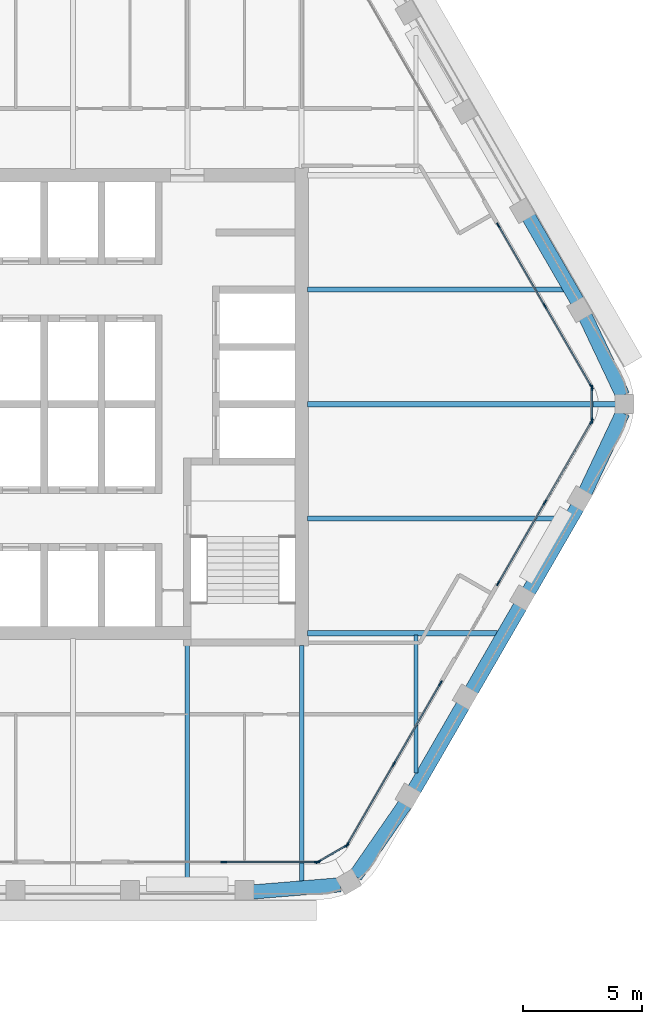
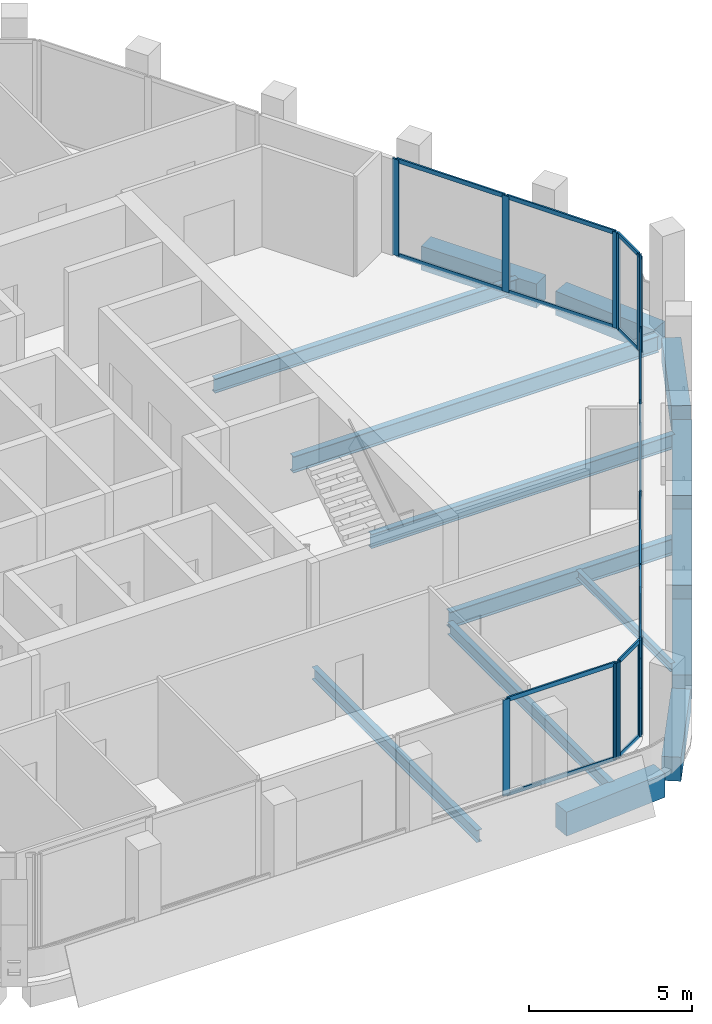
# One storey, part 4 of 14: 33 members, 15 beams, 6 elements without a shape of their own.
"""IFC4 building model written with IfcOpenShell, lengths in metres."""

from ifc_helpers import new_model, si_unit, direction, frame, origin, origin_2d, place, context, subcontext, project, spatial, rectangle, i_section, extrude, material, material_profile, profile_set, type_object, element, aggregate, save


model = new_model("IFC4")

# Units and contexts
model_context = context("Model", 3, precision=1e-05, world=origin(), true_north=direction((0.0, 1.0)))
body_context = subcontext(model_context, "Body", "Model", "MODEL_VIEW")
ifc_project = project(units=[si_unit("LENGTHUNIT", "METRE"), si_unit("AREAUNIT", "SQUARE_METRE"), si_unit("VOLUMEUNIT", "CUBIC_METRE"), si_unit("PLANEANGLEUNIT", "RADIAN"), si_unit("MASSUNIT", "GRAM", prefix="KILO")], contexts=[model_context])

# Site, building, storey
site_placement = place(None, origin())
site = spatial("IfcSite", under=ifc_project, at=site_placement, CompositionType="ELEMENT")
building_placement = place(site_placement, origin())
building = spatial("IfcBuilding", under=site, at=building_placement, Name="Kolab Exchange Tower", CompositionType="ELEMENT")
storey_placement = place(building_placement, frame((0.0, 0.0, 234.5)))
storey = spatial("IfcBuildingStorey", under=building, at=storey_placement, Name="L51", CompositionType="ELEMENT", Elevation=234.5)

# Beams
ifc_material_1 = material(Name="Steel S355", Category="steel")
ifc_material_profile_1 = material_profile(ifc_material_1, i_section(OverallWidth=0.1650390625, OverallDepth=0.31005859375, WebThickness=0.005859375, FlangeThickness=0.009765625, at=origin_2d()), Name="W310X39")
ifc_profile_set_1 = profile_set([ifc_material_profile_1], Name="Steel S355")
beam_type_1 = type_object("IfcBeamType", Name="FLOOR BEAM W310X39", PredefinedType="BEAM", material=ifc_profile_set_1)
beam_1_placement = place(storey_placement, frame((14.39990234375, -15.4677734375, -0.304931640625), z_axis=(0.0, 1.0, 0.0), x_axis=(-1.0, 0.0, 0.0)))
element("IfcBeam", 1, at=beam_1_placement, inside=storey, type_object=beam_type_1, Name="beam/L51/fr/018", PredefinedType="BEAM", context=body_context, shape_type="SweptSolid", body=[
    extrude(i_section(OverallWidth=0.1650390625, OverallDepth=0.31005859375, WebThickness=0.005859375, FlangeThickness=0.009765625, at=origin_2d()), origin(), (0.0, 0.0, 1.0), 5.793701171875),
])
ifc_material_profile_2 = material_profile(ifc_material_1, i_section(OverallWidth=0.18994140625, OverallDepth=0.45703125, WebThickness=0.009033203125, FlangeThickness=0.014404296875, at=origin_2d()), Name="W460X74")
ifc_profile_set_2 = profile_set([ifc_material_profile_2], Name="Steel S355")
beam_type_2 = type_object("IfcBeamType", Name="FLOOR BEAM W460X74", PredefinedType="BEAM", material=ifc_profile_set_2)
beam_2_placement = place(storey_placement, frame((4.800048828125, -20.224609375, -0.37841796875), z_axis=(0.0, 1.0, 0.0), x_axis=(-1.0, 0.0, 0.0)))
element("IfcBeam", 2, at=beam_2_placement, inside=storey, type_object=beam_type_2, Name="beam/L51/fr/011", PredefinedType="BEAM", context=body_context, shape_type="SweptSolid", body=[
    extrude(i_section(OverallWidth=0.18994140625, OverallDepth=0.45703125, WebThickness=0.009033203125, FlangeThickness=0.014404296875, at=origin_2d()), origin(), (0.0, 0.0, 1.0), 10.114501953125),
])
beam_3_placement = place(storey_placement, frame((9.60009765625, -20.027099609375, -0.37841796875), z_axis=(0.0, 1.0, 0.0), x_axis=(-1.0, 0.0, 0.0)))
element("IfcBeam", 3, at=beam_3_placement, inside=storey, type_object=beam_type_2, Name="beam/L51/fr/013", PredefinedType="BEAM", context=body_context, shape_type="SweptSolid", body=[
    extrude(i_section(OverallWidth=0.18994140625, OverallDepth=0.45703125, WebThickness=0.009033203125, FlangeThickness=0.014404296875, at=origin_2d()), origin(), (0.0, 0.0, 1.0), 9.9169921875),
])
ifc_material_profile_3 = material_profile(ifc_material_1, i_section(OverallWidth=0.208984375, OverallDepth=0.532958984375, WebThickness=0.01025390625, FlangeThickness=0.015625, at=origin_2d()), Name="W530X92")
ifc_profile_set_3 = profile_set([ifc_material_profile_3], Name="Steel S355")
beam_type_3 = type_object("IfcBeamType", Name="FLOOR BEAM W530X92", PredefinedType="BEAM", material=ifc_profile_set_3)
for number, where, z_axis, x_axis, name in (
    (4, (9.8349609375, -4.800048828125, -0.41650390625), (1.0, 0.0, 0.0), (0.0, 1.0, 0.0), "beam/L51/fr/015"),
    (5, (9.8349609375, 4.800048828125, -0.41650390625), (1.0, 0.0, 0.0), (0.0, 1.0, 0.0), "beam/L51/fr/017"),
):
    element("IfcBeam", number, at=place(storey_placement, frame(where, z_axis=z_axis, x_axis=x_axis)), inside=storey, type_object=beam_type_3, Name=name, PredefinedType="BEAM", context=body_context, shape_type="SweptSolid", body=[
        extrude(i_section(OverallWidth=0.208984375, OverallDepth=0.532958984375, WebThickness=0.01025390625, FlangeThickness=0.015625, at=origin_2d()), origin(), (0.0, 0.0, 1.0), 10.740966796875),
    ])
ifc_material_profile_4 = material_profile(ifc_material_1, i_section(OverallWidth=0.22802734375, OverallDepth=0.60791015625, WebThickness=0.01123046875, FlangeThickness=0.017333984375, at=origin_2d()), Name="W610X113")
ifc_profile_set_4 = profile_set([ifc_material_profile_4], Name="Steel S355")
beam_type_4 = type_object("IfcBeamType", Name="FLOOR BEAM W610X113", PredefinedType="BEAM", material=ifc_profile_set_4)
beam_4_placement = place(storey_placement, frame((9.8349609375, 0.0, -0.4541015625), z_axis=(1.0, 0.0, 0.0), x_axis=(0.0, 1.0, 0.0)))
element("IfcBeam", 6, at=beam_4_placement, inside=storey, type_object=beam_type_4, Name="beam/L51/fr/016", PredefinedType="BEAM", context=body_context, shape_type="SweptSolid", body=[
    extrude(i_section(OverallWidth=0.22802734375, OverallDepth=0.60791015625, WebThickness=0.01123046875, FlangeThickness=0.017333984375, at=origin_2d()), origin(), (0.0, 0.0, 1.0), 12.94091796875),
])
ifc_material_profile_5 = material_profile(ifc_material_1, i_section(OverallWidth=0.22802734375, OverallDepth=0.60791015625, WebThickness=0.01123046875, FlangeThickness=0.017333984375, at=origin_2d()), Name="W610X113")
ifc_profile_set_5 = profile_set([ifc_material_profile_5], Name="Steel S355")
beam_type_5 = type_object("IfcBeamType", Name="FLOOR GIRDER W610X113", PredefinedType="BEAM", material=ifc_profile_set_5)
beam_5_placement = place(storey_placement, frame((9.8349609375, -9.60009765625, -0.4541015625), z_axis=(1.0, 0.0, 0.0), x_axis=(0.0, 1.0, 0.0)))
element("IfcBeam", 7, at=beam_5_placement, inside=storey, type_object=beam_type_5, Name="beam/L51/gd/002", PredefinedType="BEAM", context=body_context, shape_type="SweptSolid", body=[
    extrude(i_section(OverallWidth=0.22802734375, OverallDepth=0.60791015625, WebThickness=0.01123046875, FlangeThickness=0.017333984375, at=origin_2d()), origin(), (0.0, 0.0, 1.0), 7.9697265625),
])
ifc_material_2 = material(Name="Concrete C50/60", Category="concrete")
ifc_material_profile_6 = material_profile(ifc_material_2, rectangle(XDim=0.60009765625, YDim=0.89990234375, at=origin_2d()), Name="RC600X900")
ifc_profile_set_6 = profile_set([ifc_material_profile_6], Name="Concrete C50/60")
beam_type_6 = type_object("IfcBeamType", Name="SPANDREL BEAM 600X900 C50/60", PredefinedType="BEAM", material=ifc_profile_set_6)
beam_6_placement = place(storey_placement, frame((19.1201171875, 7.85205078125, -0.60009765625), z_axis=(0.500000428765, -0.866025156237, 0.0), x_axis=(0.866025156237, 0.500000428765, 0.0)))
element("IfcBeam", 8, at=beam_6_placement, inside=storey, type_object=beam_type_6, Name="beam/L51/sp/F2-04", PredefinedType="BEAM", context=body_context, shape_type="SweptSolid", body=[
    extrude(rectangle(XDim=0.60009765625, YDim=0.89990234375, at=origin_2d()), origin(), (0.0, 0.0, 1.0), 4.080078125),
])
for number, where, z_axis, x_axis, name in (
    (9, (21.49462890625, 3.68017578125, -0.60009765625), (0.427677251998, -0.903931506323, 0.0), (0.903931506323, 0.427677251998, 0.0), "beam/L51/sp/F2-05"),
    (10, (23.063720703125, -0.36376953125, -0.60009765625), (-0.427677251998, -0.903931506323, 0.0), (0.903931506323, -0.427677251998, 0.0), "beam/L51/sp/F3-01"),
):
    element("IfcBeam", number, at=place(storey_placement, frame(where, z_axis=z_axis, x_axis=x_axis)), inside=storey, type_object=beam_type_6, Name=name, PredefinedType="BEAM", context=body_context, shape_type="SweptSolid", body=[
        extrude(rectangle(XDim=0.60009765625, YDim=0.89990234375, at=origin_2d()), origin(), (0.0, 0.0, 1.0), 3.6689453125),
    ])
for number, where, z_axis, x_axis, name in (
    (11, (21.16015625, -4.318603515625, -0.60009765625), (-0.500000428765, -0.866025156237, 0.0), (0.866025156237, -0.500000428765, 0.0), "beam/L51/sp/F3-02"),
    (12, (18.76025390625, -8.4755859375, -0.60009765625), (-0.500000428765, -0.866025156237, 0.0), (0.866025156237, -0.500000428765, 0.0), "beam/L51/sp/F3-03"),
):
    element("IfcBeam", number, at=place(storey_placement, frame(where, z_axis=z_axis, x_axis=x_axis)), inside=storey, type_object=beam_type_6, Name=name, PredefinedType="BEAM", context=body_context, shape_type="SweptSolid", body=[
        extrude(rectangle(XDim=0.60009765625, YDim=0.89990234375, at=origin_2d()), origin(), (0.0, 0.0, 1.0), 4.080078125),
    ])
beam_7_placement = place(storey_placement, frame((16.360107421875, -12.632568359375, -0.60009765625), z_axis=(-0.499955548806, -0.866051066172, 0.0), x_axis=(0.866051066172, -0.499955548806, 0.0)))
element("IfcBeam", 13, at=beam_7_placement, inside=storey, type_object=beam_type_6, Name="beam/L51/sp/F3-04", PredefinedType="BEAM", context=body_context, shape_type="SweptSolid", body=[
    extrude(rectangle(XDim=0.60009765625, YDim=0.89990234375, at=origin_2d()), origin(), (0.0, 0.0, 1.0), 4.079833984375),
])
for number, where, z_axis, x_axis, name in (
    (14, (13.9345703125, -16.77490234375, -0.60009765625), (-0.569005808573, -0.822333502789, 0.0), (0.822333502789, -0.569005808573, 0.0), "beam/L51/sp/F3-05"),
    (15, (11.216796875, -20.15576171875, -0.60009765625), (-0.996666751878, -0.081580547323, 0.0), (0.081580547323, -0.996666751878, 0.0), "beam/L51/sp/F4-01"),
):
    element("IfcBeam", number, at=place(storey_placement, frame(where, z_axis=z_axis, x_axis=x_axis)), inside=storey, type_object=beam_type_6, Name=name, PredefinedType="BEAM", context=body_context, shape_type="SweptSolid", body=[
        extrude(rectangle(XDim=0.60009765625, YDim=0.89990234375, at=origin_2d()), origin(), (0.0, 0.0, 1.0), 3.6689453125),
    ])

# Curtain wall, members
ifc_material_3 = material(Name="Aluminium EN AW-6063 T6", Category="aluminium")
curtain_wall_type = type_object("IfcCurtainWallType", Name="UNITISED HIGH ZONE CURTAIN WALL", PredefinedType="NOTDEFINED", material=ifc_material_3)
curtain_wall_1_placement = place(storey_placement, origin())
curtain_wall_1 = element("IfcCurtainWall", 16, at=curtain_wall_1_placement, inside=storey, type_object=curtain_wall_type, Name="cw/L51/F2-2", PredefinedType="NOTDEFINED")
ifc_material_profile_7 = material_profile(ifc_material_3, rectangle(XDim=0.06005859375, YDim=0.239990234375, at=origin_2d()), Name="RECT 60X240")
ifc_profile_set_7 = profile_set([ifc_material_profile_7], Name="Aluminium EN AW-6063 T6")
member_type_1 = type_object("IfcMemberType", Name="UNITISED HIGH ZONE MULLION 60 X 240", PredefinedType="MULLION", material=ifc_profile_set_7)
member_1_placement = place(storey_placement, frame((17.8466796875, 7.497802734375, 0.0), z_axis=(0.0, 0.0, 1.0), x_axis=(0.866025440524, 0.499999936366, 0.0)))
member_1 = element("IfcMember", 17, at=member_1_placement, type_object=member_type_1, Name="CW4 mullion 1", PredefinedType="MULLION", context=body_context, shape_type="SweptSolid", body=[
    extrude(rectangle(XDim=0.06005859375, YDim=0.239990234375, at=origin_2d()), origin(), (0.0, 0.0, 1.0), 3.60009765625),
])
member_2_placement = place(storey_placement, frame((19.798583984375, 4.116943359375, 0.0), z_axis=(0.0, 0.0, 1.0), x_axis=(0.866025440524, 0.499999936366, 0.0)))
member_2 = element("IfcMember", 18, at=member_2_placement, type_object=member_type_1, Name="CW4 mullion 2", PredefinedType="MULLION", context=body_context, shape_type="SweptSolid", body=[
    extrude(rectangle(XDim=0.06005859375, YDim=0.239990234375, at=origin_2d()), origin(), (0.0, 0.0, 1.0), 3.60009765625),
])
member_3_placement = place(storey_placement, frame((21.750732421875, 0.736083984375, 0.0), z_axis=(0.0, 0.0, 1.0), x_axis=(0.866025440524, 0.499999936366, 0.0)))
member_3 = element("IfcMember", 19, at=member_3_placement, type_object=member_type_1, Name="CW4 mullion 3", PredefinedType="MULLION", context=body_context, shape_type="SweptSolid", body=[
    extrude(rectangle(XDim=0.06005859375, YDim=0.239990234375, at=origin_2d()), origin(), (0.0, 0.0, 1.0), 3.60009765625),
])

curtain_wall_2_placement = place(storey_placement, origin())
curtain_wall_2 = element("IfcCurtainWall", 20, at=curtain_wall_2_placement, inside=storey, type_object=curtain_wall_type, Name="cw/L51/F3-1", PredefinedType="NOTDEFINED")
member_4_placement = place(storey_placement, frame((21.750732421875, -0.736083984375, 0.0), z_axis=(0.0, 0.0, 1.0), x_axis=(0.866025440524, -0.499999936366, 0.0)))
member_4 = element("IfcMember", 21, at=member_4_placement, type_object=member_type_1, Name="CW4 mullion 1", PredefinedType="MULLION", context=body_context, shape_type="SweptSolid", body=[
    extrude(rectangle(XDim=0.06005859375, YDim=0.239990234375, at=origin_2d()), origin(), (0.0, 0.0, 1.0), 3.60009765625),
])
member_5_placement = place(storey_placement, frame((19.798583984375, -4.116943359375, 0.0), z_axis=(0.0, 0.0, 1.0), x_axis=(0.866025440524, -0.499999936366, 0.0)))
member_5 = element("IfcMember", 22, at=member_5_placement, type_object=member_type_1, Name="CW4 mullion 2", PredefinedType="MULLION", context=body_context, shape_type="SweptSolid", body=[
    extrude(rectangle(XDim=0.06005859375, YDim=0.239990234375, at=origin_2d()), origin(), (0.0, 0.0, 1.0), 3.60009765625),
])
member_6_placement = place(storey_placement, frame((17.8466796875, -7.497802734375, 0.0), z_axis=(0.0, 0.0, 1.0), x_axis=(0.866025440524, -0.499999936366, 0.0)))
member_6 = element("IfcMember", 23, at=member_6_placement, type_object=member_type_1, Name="CW4 mullion 3", PredefinedType="MULLION", context=body_context, shape_type="SweptSolid", body=[
    extrude(rectangle(XDim=0.06005859375, YDim=0.239990234375, at=origin_2d()), origin(), (0.0, 0.0, 1.0), 3.60009765625),
])

curtain_wall_3_placement = place(storey_placement, origin())
curtain_wall_3 = element("IfcCurtainWall", 24, at=curtain_wall_3_placement, inside=storey, type_object=curtain_wall_type, Name="cw/L51/F3-2", PredefinedType="NOTDEFINED")
member_7_placement = place(storey_placement, frame((15.416748046875, -11.706787109375, 0.0), z_axis=(0.0, 0.0, 1.0), x_axis=(0.866025385493, -0.500000031681, 0.0)))
member_7 = element("IfcMember", 25, at=member_7_placement, type_object=member_type_1, Name="CW4 mullion 1", PredefinedType="MULLION", context=body_context, shape_type="SweptSolid", body=[
    extrude(rectangle(XDim=0.06005859375, YDim=0.239990234375, at=origin_2d()), origin(), (0.0, 0.0, 1.0), 3.60009765625),
])
member_8_placement = place(storey_placement, frame((13.464599609375, -15.087646484375, 0.0), z_axis=(0.0, 0.0, 1.0), x_axis=(0.866025385493, -0.500000031681, 0.0)))
member_8 = element("IfcMember", 26, at=member_8_placement, type_object=member_type_1, Name="CW4 mullion 2", PredefinedType="MULLION", context=body_context, shape_type="SweptSolid", body=[
    extrude(rectangle(XDim=0.06005859375, YDim=0.239990234375, at=origin_2d()), origin(), (0.0, 0.0, 1.0), 3.60009765625),
])
member_9_placement = place(storey_placement, frame((11.5126953125, -18.46875, 0.0), z_axis=(0.0, 0.0, 1.0), x_axis=(0.866025385493, -0.500000031681, 0.0)))
member_9 = element("IfcMember", 27, at=member_9_placement, type_object=member_type_1, Name="CW4 mullion 3", PredefinedType="MULLION", context=body_context, shape_type="SweptSolid", body=[
    extrude(rectangle(XDim=0.06005859375, YDim=0.239990234375, at=origin_2d()), origin(), (0.0, 0.0, 1.0), 3.60009765625),
])

curtain_wall_4_placement = place(storey_placement, origin())
curtain_wall_4 = element("IfcCurtainWall", 28, at=curtain_wall_4_placement, inside=storey, type_object=curtain_wall_type, Name="cw/L51/F4-1", PredefinedType="NOTDEFINED")
member_10_placement = place(storey_placement, frame((10.238037109375, -19.20458984375, 0.0), z_axis=(0.0, 0.0, 1.0), x_axis=(0.0, -1.0, 0.0)))
member_10 = element("IfcMember", 29, at=member_10_placement, type_object=member_type_1, Name="CW4 mullion 1", PredefinedType="MULLION", context=body_context, shape_type="SweptSolid", body=[
    extrude(rectangle(XDim=0.06005859375, YDim=0.239990234375, at=origin_2d()), origin(), (0.0, 0.0, 1.0), 3.60009765625),
])
member_11_placement = place(storey_placement, frame((6.333984375, -19.20458984375, 0.0), z_axis=(0.0, 0.0, 1.0), x_axis=(0.0, -1.0, 0.0)))
member_11 = element("IfcMember", 30, at=member_11_placement, type_object=member_type_1, Name="CW4 mullion 2", PredefinedType="MULLION", context=body_context, shape_type="SweptSolid", body=[
    extrude(rectangle(XDim=0.06005859375, YDim=0.239990234375, at=origin_2d()), origin(), (0.0, 0.0, 1.0), 3.60009765625),
])

curtain_wall_5_placement = place(storey_placement, origin())
curtain_wall_5 = element("IfcCurtainWall", 31, at=curtain_wall_5_placement, inside=storey, type_object=curtain_wall_type, Name="cw/L51/F2F3-corner", PredefinedType="NOTDEFINED")
member_12_placement = place(storey_placement, frame((21.765625, 0.679931640625, 0.0), z_axis=(0.0, 0.0, 1.0), x_axis=(1.0, 0.0, 0.0)))
member_12 = element("IfcMember", 32, at=member_12_placement, type_object=member_type_1, Name="CW4 mullion 1", PredefinedType="MULLION", context=body_context, shape_type="SweptSolid", body=[
    extrude(rectangle(XDim=0.06005859375, YDim=0.239990234375, at=origin_2d()), origin(), (0.0, 0.0, 1.0), 3.60009765625),
])
member_13_placement = place(storey_placement, frame((21.765625, -0.679931640625, 0.0), z_axis=(0.0, 0.0, 1.0), x_axis=(1.0, 0.0, 0.0)))
member_13 = element("IfcMember", 33, at=member_13_placement, type_object=member_type_1, Name="CW4 mullion 2", PredefinedType="MULLION", context=body_context, shape_type="SweptSolid", body=[
    extrude(rectangle(XDim=0.06005859375, YDim=0.239990234375, at=origin_2d()), origin(), (0.0, 0.0, 1.0), 3.60009765625),
])

curtain_wall_6_placement = place(storey_placement, origin())
curtain_wall_6 = element("IfcCurtainWall", 34, at=curtain_wall_6_placement, inside=storey, type_object=curtain_wall_type, Name="cw/L51/F3F4-corner", PredefinedType="NOTDEFINED")
member_14_placement = place(storey_placement, frame((11.4716796875, -18.509521484375, 0.0), z_axis=(0.0, 0.0, 1.0), x_axis=(0.50000002237, -0.866025390869, 0.0)))
member_14 = element("IfcMember", 35, at=member_14_placement, type_object=member_type_1, Name="CW4 mullion 1", PredefinedType="MULLION", context=body_context, shape_type="SweptSolid", body=[
    extrude(rectangle(XDim=0.06005859375, YDim=0.239990234375, at=origin_2d()), origin(), (0.0, 0.0, 1.0), 3.60009765625),
])
member_15_placement = place(storey_placement, frame((10.2939453125, -19.189697265625, 0.0), z_axis=(0.0, 0.0, 1.0), x_axis=(0.50000002237, -0.866025390869, 0.0)))
member_15 = element("IfcMember", 36, at=member_15_placement, type_object=member_type_1, Name="CW4 mullion 2", PredefinedType="MULLION", context=body_context, shape_type="SweptSolid", body=[
    extrude(rectangle(XDim=0.06005859375, YDim=0.239990234375, at=origin_2d()), origin(), (0.0, 0.0, 1.0), 3.60009765625),
])

# Member
ifc_material_profile_8 = material_profile(ifc_material_3, rectangle(XDim=0.06005859375, YDim=0.159912109375, at=origin_2d()), Name="RECT 60X160")
ifc_profile_set_8 = profile_set([ifc_material_profile_8], Name="Aluminium EN AW-6063 T6")
member_type_2 = type_object("IfcMemberType", Name="UNITISED HIGH ZONE TRANSOM 60 X 160", PredefinedType="USERDEFINED", material=ifc_profile_set_8)
member_16_placement = place(storey_placement, frame((17.861572265625, 7.471923828125, 0.030029296875), z_axis=(0.500011990396, -0.866018481016, 0.0), x_axis=(0.866018481016, 0.500011990396, 0.0)))
member_16 = element("IfcMember", 37, at=member_16_placement, type_object=member_type_2, Name="CW4 transom 1.1", ObjectType="TRANSOM", PredefinedType="USERDEFINED", context=body_context, shape_type="SweptSolid", body=[
    extrude(rectangle(XDim=0.06005859375, YDim=0.159912109375, at=origin_2d()), origin(), (0.0, 0.0, 1.0), 3.84423828125),
])

member_17_placement = place(storey_placement, frame((17.861572265625, 7.471923828125, 3.570068359375), z_axis=(0.500011990396, -0.866018481016, 0.0), x_axis=(0.866018481016, 0.500011990396, 0.0)))
member_17 = element("IfcMember", 38, at=member_17_placement, type_object=member_type_2, Name="CW4 transom 1.2", ObjectType="TRANSOM", PredefinedType="USERDEFINED", context=body_context, shape_type="SweptSolid", body=[
    extrude(rectangle(XDim=0.06005859375, YDim=0.159912109375, at=origin_2d()), origin(), (0.0, 0.0, 1.0), 3.84423828125),
])

member_18_placement = place(storey_placement, frame((19.813720703125, 4.0908203125, 0.030029296875), z_axis=(0.499991857942, -0.866030104553, 0.0), x_axis=(0.866030104553, 0.499991857942, 0.0)))
member_18 = element("IfcMember", 39, at=member_18_placement, type_object=member_type_2, Name="CW4 transom 2.1", ObjectType="TRANSOM", PredefinedType="USERDEFINED", context=body_context, shape_type="SweptSolid", body=[
    extrude(rectangle(XDim=0.06005859375, YDim=0.159912109375, at=origin_2d()), origin(), (0.0, 0.0, 1.0), 3.84375),
])

member_19_placement = place(storey_placement, frame((19.813720703125, 4.0908203125, 3.570068359375), z_axis=(0.499991857942, -0.866030104553, 0.0), x_axis=(0.866030104553, 0.499991857942, 0.0)))
member_19 = element("IfcMember", 40, at=member_19_placement, type_object=member_type_2, Name="CW4 transom 2.2", ObjectType="TRANSOM", PredefinedType="USERDEFINED", context=body_context, shape_type="SweptSolid", body=[
    extrude(rectangle(XDim=0.06005859375, YDim=0.159912109375, at=origin_2d()), origin(), (0.0, 0.0, 1.0), 3.84375),
])

aggregate(curtain_wall_1, [member_1, member_2, member_3, member_16, member_17, member_18, member_19])

member_20_placement = place(storey_placement, frame((21.735595703125, -0.761962890625, 0.030029296875), z_axis=(-0.499991857942, -0.866030104553, 0.0), x_axis=(0.866030104553, -0.499991857942, 0.0)))
member_20 = element("IfcMember", 41, at=member_20_placement, type_object=member_type_2, Name="CW4 transom 1.1", ObjectType="TRANSOM", PredefinedType="USERDEFINED", context=body_context, shape_type="SweptSolid", body=[
    extrude(rectangle(XDim=0.06005859375, YDim=0.159912109375, at=origin_2d()), origin(), (0.0, 0.0, 1.0), 3.84375),
])

member_21_placement = place(storey_placement, frame((21.735595703125, -0.761962890625, 3.570068359375), z_axis=(-0.499991857942, -0.866030104553, 0.0), x_axis=(0.866030104553, -0.499991857942, 0.0)))
member_21 = element("IfcMember", 42, at=member_21_placement, type_object=member_type_2, Name="CW4 transom 1.2", ObjectType="TRANSOM", PredefinedType="USERDEFINED", context=body_context, shape_type="SweptSolid", body=[
    extrude(rectangle(XDim=0.06005859375, YDim=0.159912109375, at=origin_2d()), origin(), (0.0, 0.0, 1.0), 3.84375),
])

member_22_placement = place(storey_placement, frame((19.78369140625, -4.142822265625, 0.030029296875), z_axis=(-0.500011990396, -0.866018481016, 0.0), x_axis=(0.866018481016, -0.500011990396, 0.0)))
member_22 = element("IfcMember", 43, at=member_22_placement, type_object=member_type_2, Name="CW4 transom 2.1", ObjectType="TRANSOM", PredefinedType="USERDEFINED", context=body_context, shape_type="SweptSolid", body=[
    extrude(rectangle(XDim=0.06005859375, YDim=0.159912109375, at=origin_2d()), origin(), (0.0, 0.0, 1.0), 3.84423828125),
])

member_23_placement = place(storey_placement, frame((19.78369140625, -4.142822265625, 3.570068359375), z_axis=(-0.500011990396, -0.866018481016, 0.0), x_axis=(0.866018481016, -0.500011990396, 0.0)))
member_23 = element("IfcMember", 44, at=member_23_placement, type_object=member_type_2, Name="CW4 transom 2.2", ObjectType="TRANSOM", PredefinedType="USERDEFINED", context=body_context, shape_type="SweptSolid", body=[
    extrude(rectangle(XDim=0.06005859375, YDim=0.159912109375, at=origin_2d()), origin(), (0.0, 0.0, 1.0), 3.84423828125),
])

aggregate(curtain_wall_2, [member_4, member_5, member_6, member_20, member_21, member_22, member_23])

member_24_placement = place(storey_placement, frame((15.401611328125, -11.732666015625, 0.030029296875), z_axis=(-0.499964356602, -0.866045981532, 0.0), x_axis=(0.866045981532, -0.499964356602, 0.0)))
member_24 = element("IfcMember", 45, at=member_24_placement, type_object=member_type_2, Name="CW4 transom 1.1", ObjectType="TRANSOM", PredefinedType="USERDEFINED", context=body_context, shape_type="SweptSolid", body=[
    extrude(rectangle(XDim=0.06005859375, YDim=0.159912109375, at=origin_2d()), origin(), (0.0, 0.0, 1.0), 3.843994140625),
])

member_25_placement = place(storey_placement, frame((15.401611328125, -11.732666015625, 3.570068359375), z_axis=(-0.499964356602, -0.866045981532, 0.0), x_axis=(0.866045981532, -0.499964356602, 0.0)))
member_25 = element("IfcMember", 46, at=member_25_placement, type_object=member_type_2, Name="CW4 transom 1.2", ObjectType="TRANSOM", PredefinedType="USERDEFINED", context=body_context, shape_type="SweptSolid", body=[
    extrude(rectangle(XDim=0.06005859375, YDim=0.159912109375, at=origin_2d()), origin(), (0.0, 0.0, 1.0), 3.843994140625),
])

member_26_placement = place(storey_placement, frame((13.44970703125, -15.11376953125, 0.030029296875), z_axis=(-0.500039492609, -0.866002601515, 0.0), x_axis=(0.866002601515, -0.500039492609, 0.0)))
member_26 = element("IfcMember", 47, at=member_26_placement, type_object=member_type_2, Name="CW4 transom 2.1", ObjectType="TRANSOM", PredefinedType="USERDEFINED", context=body_context, shape_type="SweptSolid", body=[
    extrude(rectangle(XDim=0.06005859375, YDim=0.159912109375, at=origin_2d()), origin(), (0.0, 0.0, 1.0), 3.843994140625),
])

member_27_placement = place(storey_placement, frame((13.44970703125, -15.11376953125, 3.570068359375), z_axis=(-0.500039492609, -0.866002601515, 0.0), x_axis=(0.866002601515, -0.500039492609, 0.0)))
member_27 = element("IfcMember", 48, at=member_27_placement, type_object=member_type_2, Name="CW4 transom 2.2", ObjectType="TRANSOM", PredefinedType="USERDEFINED", context=body_context, shape_type="SweptSolid", body=[
    extrude(rectangle(XDim=0.06005859375, YDim=0.159912109375, at=origin_2d()), origin(), (0.0, 0.0, 1.0), 3.843994140625),
])

aggregate(curtain_wall_3, [member_7, member_8, member_9, member_24, member_25, member_26, member_27])

member_28_placement = place(storey_placement, frame((10.2080078125, -19.20458984375, 0.030029296875), z_axis=(-1.0, 0.0, 0.0), x_axis=(0.0, -1.0, 0.0)))
member_28 = element("IfcMember", 49, at=member_28_placement, type_object=member_type_2, Name="CW4 transom 1.1", ObjectType="TRANSOM", PredefinedType="USERDEFINED", context=body_context, shape_type="SweptSolid", body=[
    extrude(rectangle(XDim=0.06005859375, YDim=0.159912109375, at=origin_2d()), origin(), (0.0, 0.0, 1.0), 3.843994140625),
])

member_29_placement = place(storey_placement, frame((10.2080078125, -19.20458984375, 3.570068359375), z_axis=(-1.0, 0.0, 0.0), x_axis=(0.0, -1.0, 0.0)))
member_29 = element("IfcMember", 50, at=member_29_placement, type_object=member_type_2, Name="CW4 transom 1.2", ObjectType="TRANSOM", PredefinedType="USERDEFINED", context=body_context, shape_type="SweptSolid", body=[
    extrude(rectangle(XDim=0.06005859375, YDim=0.159912109375, at=origin_2d()), origin(), (0.0, 0.0, 1.0), 3.843994140625),
])

aggregate(curtain_wall_4, [member_10, member_11, member_28, member_29])

member_30_placement = place(storey_placement, frame((21.765625, 0.64990234375, 0.030029296875), z_axis=(0.0, -1.0, 0.0), x_axis=(1.0, 0.0, 0.0)))
member_30 = element("IfcMember", 51, at=member_30_placement, type_object=member_type_2, Name="CW4 transom 1.1", ObjectType="TRANSOM", PredefinedType="USERDEFINED", context=body_context, shape_type="SweptSolid", body=[
    extrude(rectangle(XDim=0.06005859375, YDim=0.159912109375, at=origin_2d()), origin(), (0.0, 0.0, 1.0), 1.2998046875),
])

member_31_placement = place(storey_placement, frame((21.765625, 0.64990234375, 3.570068359375), z_axis=(0.0, -1.0, 0.0), x_axis=(1.0, 0.0, 0.0)))
member_31 = element("IfcMember", 52, at=member_31_placement, type_object=member_type_2, Name="CW4 transom 1.2", ObjectType="TRANSOM", PredefinedType="USERDEFINED", context=body_context, shape_type="SweptSolid", body=[
    extrude(rectangle(XDim=0.06005859375, YDim=0.159912109375, at=origin_2d()), origin(), (0.0, 0.0, 1.0), 1.2998046875),
])

aggregate(curtain_wall_5, [member_12, member_13, member_30, member_31])

member_32_placement = place(storey_placement, frame((11.44580078125, -18.524658203125, 0.030029296875), z_axis=(-0.866085525409, -0.49989585183, 0.0), x_axis=(0.49989585183, -0.866085525409, 0.0)))
member_32 = element("IfcMember", 53, at=member_32_placement, type_object=member_type_2, Name="CW4 transom 1.1", ObjectType="TRANSOM", PredefinedType="USERDEFINED", context=body_context, shape_type="SweptSolid", body=[
    extrude(rectangle(XDim=0.06005859375, YDim=0.159912109375, at=origin_2d()), origin(), (0.0, 0.0, 1.0), 1.300048828125),
])

member_33_placement = place(storey_placement, frame((11.44580078125, -18.524658203125, 3.570068359375), z_axis=(-0.866085525409, -0.49989585183, 0.0), x_axis=(0.49989585183, -0.866085525409, 0.0)))
member_33 = element("IfcMember", 54, at=member_33_placement, type_object=member_type_2, Name="CW4 transom 1.2", ObjectType="TRANSOM", PredefinedType="USERDEFINED", context=body_context, shape_type="SweptSolid", body=[
    extrude(rectangle(XDim=0.06005859375, YDim=0.159912109375, at=origin_2d()), origin(), (0.0, 0.0, 1.0), 1.300048828125),
])

aggregate(curtain_wall_6, [member_14, member_15, member_32, member_33])

save(model, "model.ifc")
